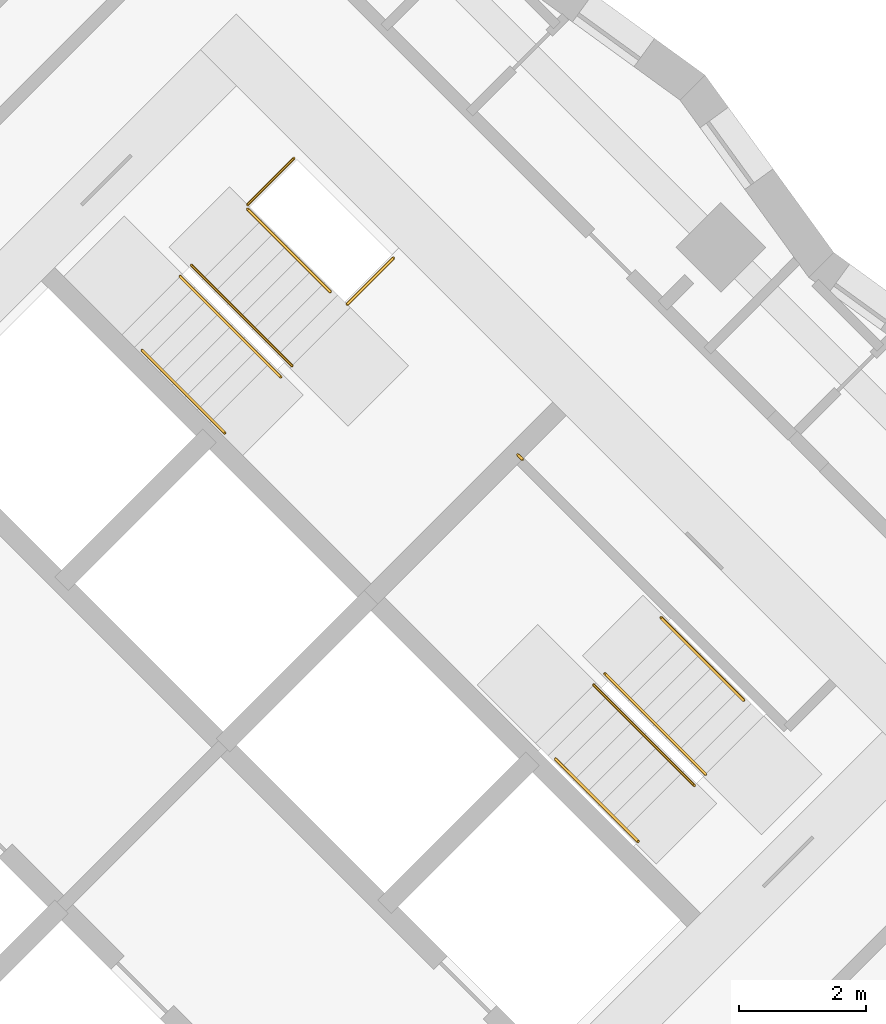
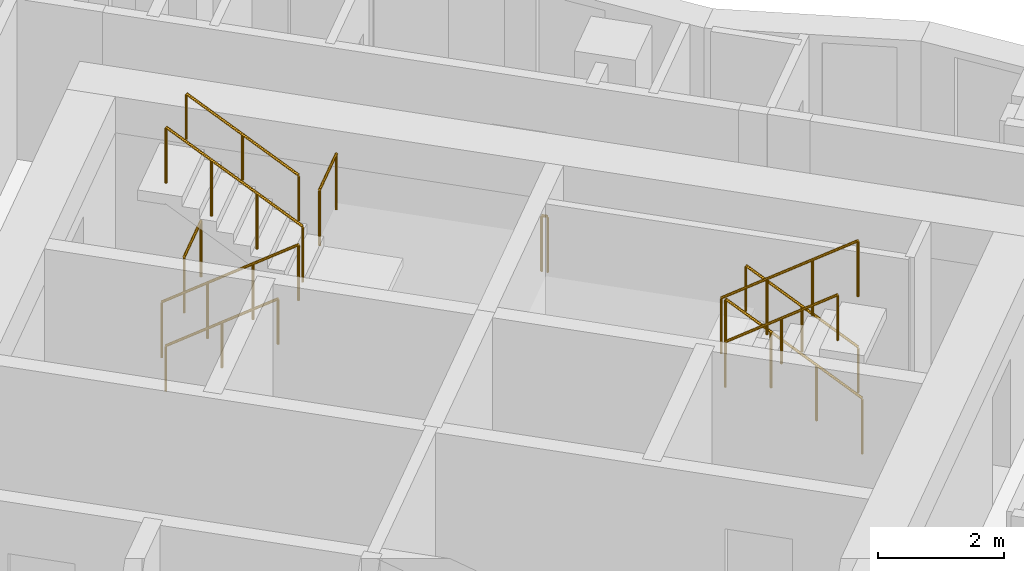
# One storey, part 13 of 13: 11 railings.
"""IFC4 building model written with IfcOpenShell, lengths in metres."""

from ifc_helpers import new_model, si_unit, direction, frame, origin, origin_2d, place, context, subcontext, project, spatial, circle, extrude, material, type_object, element, save


model = new_model("IFC4")

# Units and contexts
model_context = context("Model", 3, precision=1e-05, world=origin(), true_north=direction((0.0, 1.0)))
body_context = subcontext(model_context, "Body", "Model", "MODEL_VIEW")
ifc_project = project(units=[si_unit("LENGTHUNIT", "METRE"), si_unit("AREAUNIT", "SQUARE_METRE"), si_unit("VOLUMEUNIT", "CUBIC_METRE"), si_unit("PLANEANGLEUNIT", "RADIAN"), si_unit("MASSUNIT", "GRAM", prefix="KILO")], contexts=[model_context])

# Site, building, storey
site_placement = place(None, origin())
site = spatial("IfcSite", under=ifc_project, at=site_placement, CompositionType="ELEMENT")
building_placement = place(site_placement, origin())
building = spatial("IfcBuilding", under=site, at=building_placement, Name="Windrow Commons", CompositionType="ELEMENT")
storey_placement = place(building_placement, frame((0.0, 0.0, 108.4)))
storey = spatial("IfcBuildingStorey", under=building, at=storey_placement, Name="L29", CompositionType="ELEMENT", Elevation=108.4)

# Railings
ifc_material_1 = material(Name="Steel S355", Category="steel")
railing_type_1 = type_object("IfcRailingType", Name="Core stair guard 1100", PredefinedType="GUARDRAIL", material=ifc_material_1)
railing_1_placement = place(storey_placement, frame((85.9529, 56.2669, 0.1889)))
element("IfcRailing", 1, at=railing_1_placement, inside=storey, type_object=railing_type_1, Name="L29 ST-B1 stair guard 1", PredefinedType="GUARDRAIL", context=body_context, shape_type="SweptSolid", body=[
    extrude(circle(Radius=0.024, at=origin_2d()), frame((0.0, 0.0, 1.076), z_axis=(0.5861914914, -0.5861914914, 0.5592486664), x_axis=(0.7071067812, 0.7071067812, 0.0)), (0.0, 0.0, 1.0), 2.702),
    extrude(circle(Radius=0.021, at=origin_2d()), origin(), (0.0, 0.0, 1.0), 1.052),
    extrude(circle(Radius=0.021, at=origin_2d()), frame((0.528, -0.528, 0.5037)), (0.0, 0.0, 1.0), 1.052),
    extrude(circle(Radius=0.021, at=origin_2d()), frame((1.0559, -1.0559, 1.0074)), (0.0, 0.0, 1.0), 1.052),
    extrude(circle(Radius=0.021, at=origin_2d()), frame((1.5839, -1.5839, 1.5111)), (0.0, 0.0, 1.0), 1.052),
])
railing_2_placement = place(storey_placement, frame((87.7136, 54.8597, 1.8889)))
element("IfcRailing", 2, at=railing_2_placement, inside=storey, type_object=railing_type_1, Name="L29 ST-B1 stair guard 2", PredefinedType="GUARDRAIL", context=body_context, shape_type="SweptSolid", body=[
    extrude(circle(Radius=0.024, at=origin_2d()), frame((0.0, 0.0, 1.076), z_axis=(-0.5862030657, 0.5862030657, 0.5592244018), x_axis=(-0.7071067812, -0.7071067812, 0.0)), (0.0, 0.0, 1.0), 2.7021),
    extrude(circle(Radius=0.021, at=origin_2d()), origin(), (0.0, 0.0, 1.0), 1.052),
    extrude(circle(Radius=0.021, at=origin_2d()), frame((-0.528, 0.528, 0.5037)), (0.0, 0.0, 1.0), 1.052),
    extrude(circle(Radius=0.021, at=origin_2d()), frame((-1.056, 1.056, 1.0074)), (0.0, 0.0, 1.0), 1.052),
    extrude(circle(Radius=0.021, at=origin_2d()), frame((-1.584, 1.584, 1.5111)), (0.0, 0.0, 1.0), 1.052),
])
railing_3_placement = place(storey_placement, frame((87.0135, 57.3982, 0.0)))
element("IfcRailing", 3, at=railing_3_placement, inside=storey, type_object=railing_type_1, Name="L29 ST-B1 stair guard 3", PredefinedType="GUARDRAIL", context=body_context, shape_type="SweptSolid", body=[
    extrude(circle(Radius=0.024, at=origin_2d()), frame((0.0, 0.0, 1.076), z_axis=(0.7070582378, 0.7071553212, 0.0), x_axis=(-0.7071553212, 0.7070582378, 0.0)), (0.0, 0.0, 1.0), 1.03),
    extrude(circle(Radius=0.021, at=origin_2d()), origin(), (0.0, 0.0, 1.0), 1.052),
    extrude(circle(Radius=0.021, at=origin_2d()), frame((0.7283, 0.7284, 0.0)), (0.0, 0.0, 1.0), 1.052),
])
railing_4_placement = place(storey_placement, frame((88.5833, 55.8285, 1.7)))
element("IfcRailing", 4, at=railing_4_placement, inside=storey, type_object=railing_type_1, Name="L29 ST-B1 stair guard 4", PredefinedType="GUARDRAIL", context=body_context, shape_type="SweptSolid", body=[
    extrude(circle(Radius=0.024, at=origin_2d()), frame((0.0, 0.0, 1.076), z_axis=(0.7071067812, 0.7071067812, 0.0), x_axis=(-0.7071067812, 0.7071067812, 0.0)), (0.0, 0.0, 1.0), 1.03),
    extrude(circle(Radius=0.021, at=origin_2d()), origin(), (0.0, 0.0, 1.0), 1.052),
    extrude(circle(Radius=0.021, at=origin_2d()), frame((0.7283, 0.7283, 0.0)), (0.0, 0.0, 1.0), 1.052),
])
railing_5_placement = place(storey_placement, frame((94.2296, 48.4215, 0.1889)))
element("IfcRailing", 5, at=railing_5_placement, inside=storey, type_object=railing_type_1, Name="L29 ST-B2 stair guard 1", PredefinedType="GUARDRAIL", context=body_context, shape_type="SweptSolid", body=[
    extrude(circle(Radius=0.024, at=origin_2d()), frame((0.0, 0.0, 1.076), z_axis=(-0.5862157828, 0.5861787742, 0.5592365337), x_axis=(-0.7070844598, -0.7071291018, 0.0)), (0.0, 0.0, 1.0), 2.7021),
    extrude(circle(Radius=0.021, at=origin_2d()), origin(), (0.0, 0.0, 1.0), 1.052),
    extrude(circle(Radius=0.021, at=origin_2d()), frame((-0.528, 0.528, 0.5037)), (0.0, 0.0, 1.0), 1.052),
    extrude(circle(Radius=0.021, at=origin_2d()), frame((-1.056, 1.0559, 1.0074)), (0.0, 0.0, 1.0), 1.052),
    extrude(circle(Radius=0.021, at=origin_2d()), frame((-1.584, 1.5839, 1.5111)), (0.0, 0.0, 1.0), 1.052),
])
railing_6_placement = place(storey_placement, frame((92.4689, 49.8287, 1.8889)))
element("IfcRailing", 6, at=railing_6_placement, inside=storey, type_object=railing_type_1, Name="L29 ST-B2 stair guard 2", PredefinedType="GUARDRAIL", context=body_context, shape_type="SweptSolid", body=[
    extrude(circle(Radius=0.024, at=origin_2d()), frame((0.0, 0.0, 1.076), z_axis=(0.5861787742, -0.5862157828, 0.5592365337), x_axis=(0.7071291018, 0.7070844598, 0.0)), (0.0, 0.0, 1.0), 2.7021),
    extrude(circle(Radius=0.021, at=origin_2d()), origin(), (0.0, 0.0, 1.0), 1.052),
    extrude(circle(Radius=0.021, at=origin_2d()), frame((0.528, -0.528, 0.5037)), (0.0, 0.0, 1.0), 1.052),
    extrude(circle(Radius=0.021, at=origin_2d()), frame((1.0559, -1.056, 1.0074)), (0.0, 0.0, 1.0), 1.052),
    extrude(circle(Radius=0.021, at=origin_2d()), frame((1.5839, -1.584, 1.5111)), (0.0, 0.0, 1.0), 1.052),
])
railing_7_placement = place(storey_placement, frame((91.3446, 53.3854, 1.7)))
element("IfcRailing", 7, at=railing_7_placement, inside=storey, type_object=railing_type_1, Name="L29 ST-B2 stair guard 3", PredefinedType="GUARDRAIL", context=body_context, shape_type="SweptSolid", body=[
    extrude(circle(Radius=0.024, at=origin_2d()), frame((0.0, 0.0, 1.076), z_axis=(-0.7076063266, 0.7066068826, 0.0), x_axis=(-0.7066068826, -0.7076063266, 0.0)), (0.0, 0.0, 1.0), 0.1001),
    extrude(circle(Radius=0.021, at=origin_2d()), origin(), (0.0, 0.0, 1.0), 1.052),
    extrude(circle(Radius=0.021, at=origin_2d()), frame((-0.0708, 0.0707, 0.0)), (0.0, 0.0, 1.0), 1.052),
])
ifc_material_2 = material(Name="Steel S355", Category="steel")
railing_type_2 = type_object("IfcRailingType", Name="Core stair handrail 900", PredefinedType="HANDRAIL", material=ifc_material_2)
railing_8_placement = place(storey_placement, frame((85.3518, 55.1001, 0.4587)))
element("IfcRailing", 8, at=railing_8_placement, inside=storey, type_object=railing_type_2, Name="L29 ST-B1 stair handrail 1", PredefinedType="HANDRAIL", context=body_context, shape_type="SweptSolid", body=[
    extrude(circle(Radius=0.024, at=origin_2d()), frame((0.0, 0.0, 0.876), z_axis=(0.586206706, -0.5861616513, 0.5592639952), x_axis=(0.7070796062, 0.7071339551, 0.0)), (0.0, 0.0, 1.0), 2.2195),
    extrude(circle(Radius=0.021, at=origin_2d()), origin(), (0.0, 0.0, 1.0), 0.852),
    extrude(circle(Radius=0.021, at=origin_2d()), frame((0.6506, -0.6505, 0.6206)), (0.0, 0.0, 1.0), 0.852),
    extrude(circle(Radius=0.021, at=origin_2d()), frame((1.3011, -1.301, 1.2413)), (0.0, 0.0, 1.0), 0.852),
])
for number, where, name in (
    (9, (88.3146, 56.0265, 2.1587), "L29 ST-B1 stair handrail 2"),
    (10, (94.8306, 49.5883, 0.4587), "L29 ST-B2 stair handrail 1"),
):
    element("IfcRailing", number, at=place(storey_placement, frame(where)), inside=storey, type_object=railing_type_2, Name=name, PredefinedType="HANDRAIL", context=body_context, shape_type="SweptSolid", body=[
        extrude(circle(Radius=0.024, at=origin_2d()), frame((0.0, 0.0, 0.876), z_axis=(-0.586206706, 0.5861616513, 0.5592639952), x_axis=(-0.7070796062, -0.7071339551, 0.0)), (0.0, 0.0, 1.0), 2.2195),
        extrude(circle(Radius=0.021, at=origin_2d()), origin(), (0.0, 0.0, 1.0), 0.852),
        extrude(circle(Radius=0.021, at=origin_2d()), frame((-0.6506, 0.6505, 0.6206)), (0.0, 0.0, 1.0), 0.852),
        extrude(circle(Radius=0.021, at=origin_2d()), frame((-1.3011, 1.301, 1.2413)), (0.0, 0.0, 1.0), 0.852),
    ])
railing_9_placement = place(storey_placement, frame((91.8678, 48.6619, 2.1587)))
element("IfcRailing", 11, at=railing_9_placement, inside=storey, type_object=railing_type_2, Name="L29 ST-B2 stair handrail 2", PredefinedType="HANDRAIL", context=body_context, shape_type="SweptSolid", body=[
    extrude(circle(Radius=0.024, at=origin_2d()), frame((0.0, 0.0, 0.876), z_axis=(0.586206706, -0.5861616513, 0.5592639952), x_axis=(0.7070796062, 0.7071339551, 0.0)), (0.0, 0.0, 1.0), 2.2195),
    extrude(circle(Radius=0.021, at=origin_2d()), origin(), (0.0, 0.0, 1.0), 0.852),
    extrude(circle(Radius=0.021, at=origin_2d()), frame((0.6505, -0.6505, 0.6206)), (0.0, 0.0, 1.0), 0.852),
    extrude(circle(Radius=0.021, at=origin_2d()), frame((1.3011, -1.301, 1.2413)), (0.0, 0.0, 1.0), 0.852),
])

save(model, "model.ifc")
